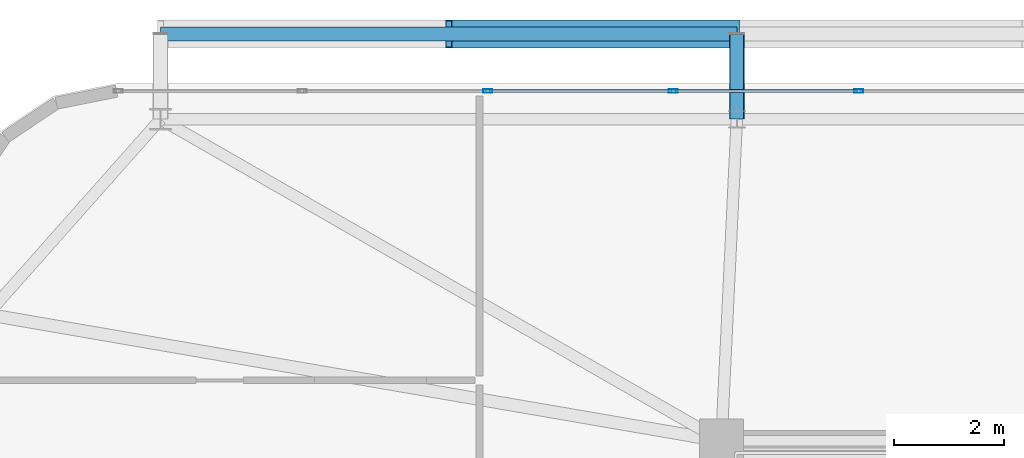
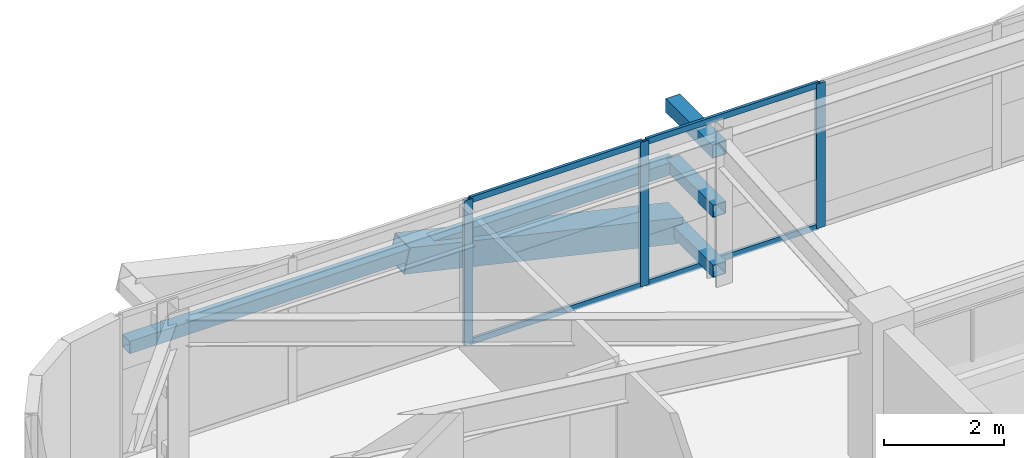
# One storey, part 35 of 59: 12 members, 1 element without a shape of its own.
"""IFC4 building model written with IfcOpenShell, lengths in metres."""

from ifc_helpers import new_model, si_unit, direction, frame, origin, origin_2d, place, context, subcontext, project, spatial, hollow_rectangle, extrude, source, transform, mapped, material, layer, layer_set, material_profile, profile_set, type_object, element, aggregate, save


model = new_model("IFC4")

# Units and contexts
model_context = context("Model", 3, precision=1e-05, world=origin(), true_north=direction((0.0, 1.0)))
body_context = subcontext(model_context, "Body", "Model", "MODEL_VIEW")
ifc_project = project(units=[si_unit("LENGTHUNIT", "METRE"), si_unit("AREAUNIT", "SQUARE_METRE"), si_unit("VOLUMEUNIT", "CUBIC_METRE"), si_unit("PLANEANGLEUNIT", "RADIAN"), si_unit("MASSUNIT", "GRAM", prefix="KILO")], contexts=[model_context])

# Site, building, storey
site_placement = place(None, origin())
site = spatial("IfcSite", under=ifc_project, at=site_placement, CompositionType="ELEMENT")
building_placement = place(site_placement, origin())
building = spatial("IfcBuilding", under=site, at=building_placement, Name="Taldren Reach Tower", CompositionType="ELEMENT")
storey_placement = place(building_placement, frame((0.0, 0.0, 19.949951171875)))
storey = spatial("IfcBuildingStorey", under=building, at=storey_placement, Name="L05", CompositionType="ELEMENT", Elevation=19.949951171875)

# Members
ifc_material_1 = material(Name="Steel Gr 450 (C450L0)", Category="steel")
ifc_material_profile_1 = material_profile(ifc_material_1, hollow_rectangle(XDim=0.27490234375, YDim=0.27490234375, WallThickness=0.00927734375, at=origin_2d()), Name="275x275x9.3SHS")
ifc_profile_set_1 = profile_set([ifc_material_profile_1], Name="Steel Gr 450 (C450L0)")
member_type_1 = type_object("IfcMemberType", Name="MB-TIE273", PredefinedType="STRUT", material=ifc_profile_set_1)
shared_shape_1 = source(origin(), body_context, "Body", "SweptSolid", [
    extrude(hollow_rectangle(XDim=0.27490234375, YDim=0.27490234375, WallThickness=0.00927734375, at=origin_2d()), origin(), (0.0, 0.0, 1.0), 1.5498046875),
])
member_1_placement = place(storey_placement, frame((19.280029296875, 37.85009765625, 2.650146484375), z_axis=(0.0, 1.0, 0.0), x_axis=(-1.0, 0.0, 0.0)))
element("IfcMember", 1, at=member_1_placement, inside=storey, type_object=member_type_1, Name="Exoskeleton diaphragm tie strut B1-N2 L05", PredefinedType="STRUT", context=body_context, shape_type="MappedRepresentation", body=[
    mapped(shared_shape_1, transform((0.0, 0.0, 0.0), scale=1.0)),
])
ifc_material_profile_2 = material_profile(ifc_material_1, hollow_rectangle(XDim=0.510009765625, YDim=0.510009765625, WallThickness=0.02001953125, at=origin_2d()), Name="510x510x20.0SHS")
ifc_profile_set_2 = profile_set([ifc_material_profile_2], Name="Steel Gr 450 (C450L0)")
member_type_2 = type_object("IfcMemberType", Name="MB-EXO508", PredefinedType="BRACE", material=ifc_profile_set_2)
shared_shape_2 = source(origin(), body_context, "Body", "SweptSolid", [
    extrude(hollow_rectangle(XDim=0.510009765625, YDim=0.510009765625, WallThickness=0.02001953125, at=origin_2d()), origin(), (0.0, 0.0, 1.0), 5.37890625),
])
member_2_placement = place(storey_placement, frame((19.280029296875, 39.39990234375, 0.219970703125), z_axis=(-0.97415197996, 0.0, 0.225893603143), x_axis=(0.0, -1.0, 0.0)))
element("IfcMember", 2, at=member_2_placement, inside=storey, type_object=member_type_2, Name="Exoskeleton Diagrid Brace B1-N1 L05", PredefinedType="BRACE", context=body_context, shape_type="MappedRepresentation", body=[
    mapped(shared_shape_2, transform((0.0, 0.0, 0.0), scale=1.0)),
])
ifc_material_2 = material(Name="Steel Gr 350 (C350L0)", Category="steel")
ifc_material_profile_3 = material_profile(ifc_material_2, hollow_rectangle(XDim=0.25, YDim=0.25, WallThickness=0.010009765625, at=origin_2d()), Name="250x250x10.0SHS")
ifc_profile_set_3 = profile_set([ifc_material_profile_3], Name="Steel Gr 350 (C350L0)")
member_type_3 = type_object("IfcMemberType", Name="MB-POST250", PredefinedType="POST", material=ifc_profile_set_3)
shared_shape_3 = source(origin(), body_context, "Body", "SweptSolid", [
    extrude(hollow_rectangle(XDim=0.25, YDim=0.25, WallThickness=0.010009765625, at=origin_2d()), origin(), (0.0, 0.0, 1.0), 10.47998046875),
])
member_3_placement = place(storey_placement, frame((8.800048828125, 39.39990234375, 1.43505859375), z_axis=(1.0, 0.0, 0.0), x_axis=(0.0, 1.0, 0.0)))
element("IfcMember", 3, at=member_3_placement, inside=storey, type_object=member_type_3, Name="Exoskeleton mid-height ring chord B1-N1 L05", PredefinedType="POST", context=body_context, shape_type="MappedRepresentation", body=[
    mapped(shared_shape_3, transform((0.0, 0.0, 0.0), scale=1.0)),
])
shared_shape_4 = source(origin(), body_context, "Body", "SweptSolid", [
    extrude(hollow_rectangle(XDim=0.25, YDim=0.25, WallThickness=0.010009765625, at=origin_2d()), origin(), (0.0, 0.0, 1.0), 1.5498046875),
])
for number, where, z_axis, x_axis, name in (
    (4, (19.280029296875, 37.85009765625, 0.219970703125), (0.0, 1.0, 0.0), (-1.0, 0.0, 0.0), "Exoskeleton base diaphragm tie strut B1-N2 L05"),
    (5, (19.280029296875, 37.85009765625, 1.43505859375), (0.0, 1.0, 0.0), (-1.0, 0.0, 0.0), "Exoskeleton mid-tier diaphragm tie B1-N2 L05"),
):
    element("IfcMember", number, at=place(storey_placement, frame(where, z_axis=z_axis, x_axis=x_axis)), inside=storey, type_object=member_type_3, Name=name, PredefinedType="POST", context=body_context, shape_type="MappedRepresentation", body=[
        mapped(shared_shape_4, transform((0.0, 0.0, 0.0), scale=1.0)),
    ])

# Curtain wall, members
ifc_material_3 = material(Name="Aluminium and Low-E Glass Unitised System", Category="aluminium")
ifc_layer = layer(ifc_material_3, 0.159912109375)
ifc_layer_set = layer_set([ifc_layer], Name="Aluminium and Low-E Glass Unitised System")
curtain_wall_type = type_object("IfcCurtainWallType", Name="CW-SYS-2", PredefinedType="NOTDEFINED", material=ifc_layer_set)
curtain_wall_placement = place(storey_placement, origin())
curtain_wall = element("IfcCurtainWall", 6, at=curtain_wall_placement, inside=storey, type_object=curtain_wall_type, Name="Unitised curtain wall CW-L05-N", PredefinedType="NOTDEFINED")
ifc_material_4 = material(Name="Anodised Aluminium 6063-T6", Category="aluminium")
ifc_material_profile_4 = material_profile(ifc_material_4, hollow_rectangle(XDim=0.06494140625, YDim=0.1650390625, WallThickness=0.00390625, at=origin_2d()), Name="ALU-165x65x4RHS")
ifc_profile_set_4 = profile_set([ifc_material_profile_4], Name="Anodised Aluminium 6063-T6")
member_type_4 = type_object("IfcMemberType", Name="CW-MUL-165", PredefinedType="MULLION", material=ifc_profile_set_4)
shared_shape_5 = source(origin(), body_context, "Body", "SweptSolid", [
    extrude(hollow_rectangle(XDim=0.06494140625, YDim=0.1650390625, WallThickness=0.00390625, at=origin_2d()), origin(), (0.0, 0.0, 1.0), 2.929931640625),
])
member_4_placement = place(storey_placement, frame((21.5, 38.360107421875, 0.0), z_axis=(0.0, 0.0, 1.0), x_axis=(0.0, -1.0, 0.0)))
member_4 = element("IfcMember", 7, at=member_4_placement, type_object=member_type_4, Name="CW-2 mullion 13", PredefinedType="MULLION", context=body_context, shape_type="MappedRepresentation", body=[
    mapped(shared_shape_5, transform((0.0, 0.0, 0.0), scale=1.0)),
])
member_5_placement = place(storey_placement, frame((18.125, 38.360107421875, 0.0), z_axis=(0.0, 0.0, 1.0), x_axis=(0.0, -1.0, 0.0)))
member_5 = element("IfcMember", 8, at=member_5_placement, type_object=member_type_4, Name="CW-2 mullion 14", PredefinedType="MULLION", context=body_context, shape_type="MappedRepresentation", body=[
    mapped(shared_shape_5, transform((0.0, 0.0, 0.0), scale=1.0)),
])
member_6_placement = place(storey_placement, frame((14.75, 38.360107421875, 0.0), z_axis=(0.0, 0.0, 1.0), x_axis=(0.0, -1.0, 0.0)))
member_6 = element("IfcMember", 9, at=member_6_placement, type_object=member_type_4, Name="CW-2 mullion 15", PredefinedType="MULLION", context=body_context, shape_type="MappedRepresentation", body=[
    mapped(shared_shape_5, transform((0.0, 0.0, 0.0), scale=1.0)),
])
ifc_material_profile_5 = material_profile(ifc_material_4, hollow_rectangle(XDim=0.054931640625, YDim=0.1201171875, WallThickness=0.0029296875, at=origin_2d()), Name="ALU-120x55x3RHS")
ifc_profile_set_5 = profile_set([ifc_material_profile_5], Name="Anodised Aluminium 6063-T6")
member_type_5 = type_object("IfcMemberType", Name="CW-TRN-135", PredefinedType="USERDEFINED", material=ifc_profile_set_5)
shared_shape_6 = source(origin(), body_context, "Body", "SweptSolid", [
    extrude(hollow_rectangle(XDim=0.054931640625, YDim=0.1201171875, WallThickness=0.0029296875, at=origin_2d()), origin(), (0.0, 0.0, 1.0), 3.31005859375),
])
member_7_placement = place(storey_placement, frame((21.467529296875, 38.360107421875, 0.027587890625), z_axis=(-1.0, 0.0, 0.0), x_axis=(0.0, -1.0, 0.0)))
member_7 = element("IfcMember", 10, at=member_7_placement, type_object=member_type_5, Name="CW-2 transom 13.1", ObjectType="TRANSOM", PredefinedType="USERDEFINED", context=body_context, shape_type="MappedRepresentation", body=[
    mapped(shared_shape_6, transform((0.0, 0.0, 0.0), scale=1.0)),
])
member_8_placement = place(storey_placement, frame((21.467529296875, 38.360107421875, 2.902587890625), z_axis=(-1.0, 0.0, 0.0), x_axis=(0.0, -1.0, 0.0)))
member_8 = element("IfcMember", 11, at=member_8_placement, type_object=member_type_5, Name="CW-2 transom 13.2", ObjectType="TRANSOM", PredefinedType="USERDEFINED", context=body_context, shape_type="MappedRepresentation", body=[
    mapped(shared_shape_6, transform((0.0, 0.0, 0.0), scale=1.0)),
])
member_9_placement = place(storey_placement, frame((18.092529296875, 38.360107421875, 0.027587890625), z_axis=(-1.0, 0.0, 0.0), x_axis=(0.0, -1.0, 0.0)))
member_9 = element("IfcMember", 12, at=member_9_placement, type_object=member_type_5, Name="CW-2 transom 14.1", ObjectType="TRANSOM", PredefinedType="USERDEFINED", context=body_context, shape_type="MappedRepresentation", body=[
    mapped(shared_shape_6, transform((0.0, 0.0, 0.0), scale=1.0)),
])
member_10_placement = place(storey_placement, frame((18.092529296875, 38.360107421875, 2.902587890625), z_axis=(-1.0, 0.0, 0.0), x_axis=(0.0, -1.0, 0.0)))
member_10 = element("IfcMember", 13, at=member_10_placement, type_object=member_type_5, Name="CW-2 transom 14.2", ObjectType="TRANSOM", PredefinedType="USERDEFINED", context=body_context, shape_type="MappedRepresentation", body=[
    mapped(shared_shape_6, transform((0.0, 0.0, 0.0), scale=1.0)),
])
aggregate(curtain_wall, [member_4, member_5, member_6, member_7, member_8, member_9, member_10])

save(model, "model.ifc")
